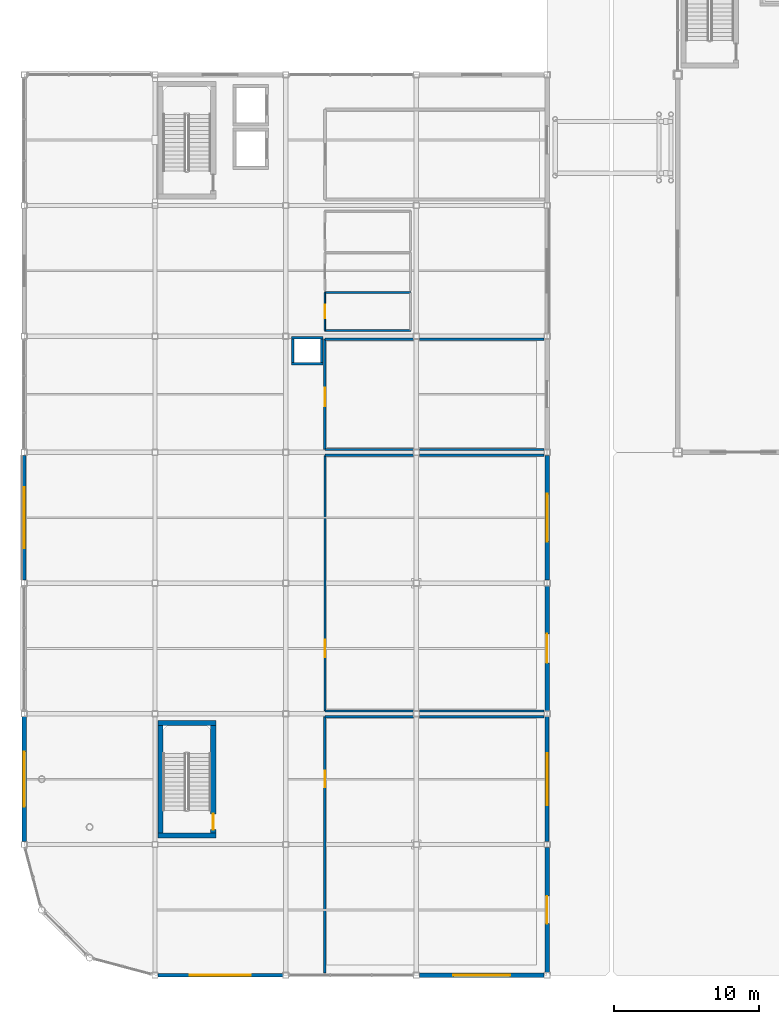
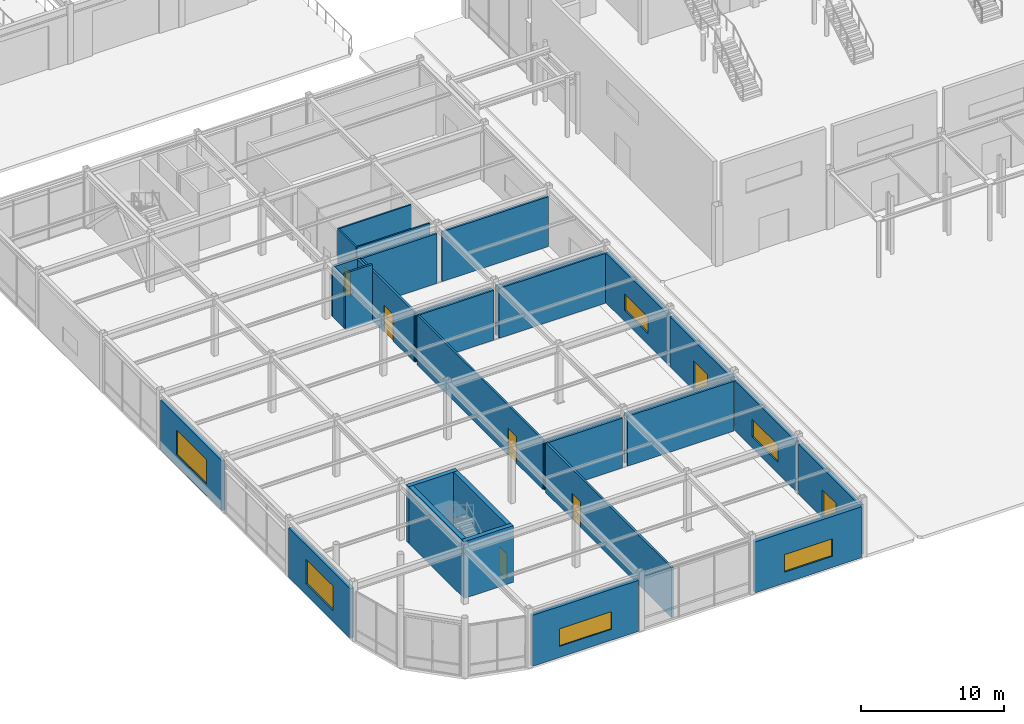
# One storey, part 82 of 123: 32 walls, 7 doors, 6 windows, 13 openings.
"""IFC4 building model written with IfcOpenShell, lengths in metres."""

import ifcopenshell
import ifcopenshell.guid

model = None  # the IFC model being written
_history = None  # IfcOwnerHistory: only IFC2X3 demands one
_inside = {}  # id of a spatial element -> (the spatial element, [elements in it])
_under = {}  # id of a project, library or spatial element -> (it, [spatial elements below it])
_declared = {}  # id of a project -> (the project, [libraries it declares])
_typed = {}  # id of a type object -> (the type object, [elements of that type])
_made_of = {}  # id of a material, layer set ... -> (it, [elements and type objects made of it])


def new_model(schema):
    """Start an empty IFC model of exactly this schema.

    Asked for "IFC4X3", IfcOpenShell would pick the latest addendum, in which some entities
    have other attributes; the version numbers below select the first issue.
    IFC2X3 requires an IfcOwnerHistory on every rooted entity: one is made here for all.
    """
    global model, _history
    if schema == "IFC4X3":
        model = ifcopenshell.file(schema_version=(4, 3, 0, 0))
    else:
        model = ifcopenshell.file(schema=schema)
    _inside.clear()
    _under.clear()
    _declared.clear()
    _typed.clear()
    _made_of.clear()
    _history = None
    if model.schema == "IFC2X3":
        org = make("IfcOrganization", Name="unknown")
        user = make(
            "IfcPersonAndOrganization",
            ThePerson=make("IfcPerson", FamilyName="unknown"),
            TheOrganization=org,
        )
        app = make(
            "IfcApplication",
            ApplicationDeveloper=org,
            Version="unknown",
            ApplicationFullName="unknown",
            ApplicationIdentifier="unknown",
        )
        _history = make(
            "IfcOwnerHistory",
            OwningUser=user,
            OwningApplication=app,
            ChangeAction="ADDED",
            CreationDate=0,
        )
    return model


def make(cls, **values):
    """One entity of the class cls with the attributes given. An attribute that is None is left unset."""
    return model.create_entity(
        cls, **{name: value for name, value in values.items() if value is not None}
    )


def rooted(cls, **values):
    """An entity with a GlobalId (a new one), such as an element, a storey or a relation."""
    return make(cls, GlobalId=ifcopenshell.guid.new(), OwnerHistory=_history, **values)


def si_unit(unit_type, name, prefix=None):
    """IfcSIUnit, for example si_unit("LENGTHUNIT", "METRE", prefix="MILLI")."""
    return make("IfcSIUnit", UnitType=unit_type, Prefix=prefix, Name=name)


def assignment(units):
    """IfcUnitAssignment: the units of a project."""
    return None if units is None else make("IfcUnitAssignment", Units=units)


def point(xyz):
    """IfcCartesianPoint."""
    return None if xyz is None else make("IfcCartesianPoint", Coordinates=xyz)


def direction(xyz):
    """IfcDirection."""
    return None if xyz is None else make("IfcDirection", DirectionRatios=xyz)


def frame(location, z_axis=None, x_axis=None):
    """IfcAxis2Placement3D, a coordinate frame: its origin and axes. An axis left out is left unset."""
    return make(
        "IfcAxis2Placement3D",
        Location=point(location),
        Axis=direction(z_axis),
        RefDirection=direction(x_axis),
    )


def frame_2d(location, x_axis=None):
    """IfcAxis2Placement2D, a coordinate frame in the plane: its origin and x axis."""
    return make(
        "IfcAxis2Placement2D", Location=point(location), RefDirection=direction(x_axis)
    )


def origin():
    """The frame at (0, 0, 0) with its axes left unset."""
    return frame((0.0, 0.0, 0.0))


def place(relative_to, where):
    """IfcLocalPlacement: puts the frame where relative to a parent placement (None: the world)."""
    return make(
        "IfcLocalPlacement", PlacementRelTo=relative_to, RelativePlacement=where
    )


def context(
    kind, dimensions, precision=None, world=None, true_north=None, identifier=None
):
    """IfcGeometricRepresentationContext, for example the 3D "Model" context."""
    return make(
        "IfcGeometricRepresentationContext",
        ContextIdentifier=identifier,
        ContextType=kind,
        CoordinateSpaceDimension=dimensions,
        Precision=precision,
        WorldCoordinateSystem=world,
        TrueNorth=true_north,
    )


def subcontext(parent, identifier, kind, view, scale=None):
    """IfcGeometricRepresentationSubContext, for example "Body" below "Model"."""
    return make(
        "IfcGeometricRepresentationSubContext",
        ContextIdentifier=identifier,
        ContextType=kind,
        ParentContext=parent,
        TargetScale=scale,
        TargetView=view,
    )


def project(units=None, contexts=None):
    """IfcProject with its units and contexts."""
    return rooted(
        "IfcProject",
        Name="project",
        RepresentationContexts=contexts,
        UnitsInContext=assignment(units),
    )


def spatial(cls, under=None, at=None, **own):
    """A site, building, storey or space (cls), placed at a placement, below another one or the project."""
    s = rooted(cls, ObjectPlacement=at, **own)
    if under is not None:
        _under.setdefault(under.id(), (under, []))[1].append(s)
    return s


def profile(cls, at=None, kind="AREA", **sizes):
    """A parametric profile (cls). Its sizes go by their IFC names, for example OverallWidth=200.0."""
    return make(cls, ProfileType=kind, Position=at, **sizes)


def rectangle(**sizes):
    """IfcRectangleProfileDef."""
    return profile("IfcRectangleProfileDef", **sizes)


def extrude(swept, where, along, depth):
    """IfcExtrudedAreaSolid: the profile swept, set in the frame where, extruded along a direction by depth."""
    return make(
        "IfcExtrudedAreaSolid",
        SweptArea=swept,
        Position=where,
        ExtrudedDirection=direction(along),
        Depth=depth,
    )


def shape(context_of_items, identifier, shape_type, items):
    """IfcShapeRepresentation: the items that make up one representation, for example the "Body"."""
    return make(
        "IfcShapeRepresentation",
        ContextOfItems=context_of_items,
        RepresentationIdentifier=identifier,
        RepresentationType=shape_type,
        Items=items,
    )


def material(Name=None, Category=None):
    """IfcMaterial."""
    return make("IfcMaterial", Name=Name, Category=Category)


def layer(
    of_material, thickness, ventilated=None, Name=None, Category=None, Priority=None
):
    """IfcMaterialLayer: one layer of a wall or slab, of a material (None: an air gap)."""
    return make(
        "IfcMaterialLayer",
        Material=of_material,
        LayerThickness=thickness,
        IsVentilated=ventilated,
        Name=Name,
        Category=Category,
        Priority=Priority,
    )


def layer_set(layers, Name=None):
    """IfcMaterialLayerSet."""
    return make("IfcMaterialLayerSet", MaterialLayers=layers, LayerSetName=Name)


def made_of(thing, what):
    """Note that an element or type object is made of a material, layer set ...; save() writes the relation."""
    if what is not None:
        _made_of.setdefault(what.id(), (what, []))[1].append(thing)
    return thing


def type_object(cls, material=None, **own):
    """A type object (cls), such as IfcWallType, which elements share."""
    return made_of(rooted(cls, **own), material)


def element(
    cls,
    number,
    at=None,
    inside=None,
    cuts=None,
    type_object=None,
    material=None,
    context=None,
    identifier="Body",
    shape_type=None,
    held_by="IfcProductDefinitionShape",
    body=None,
    shapes=None,
    **own,
):
    """One element of the class cls, such as IfcWall. Its Tag is "e" and its number.

    at: its placement. inside: the storey or other place that contains it. cuts: it is an
    opening in that element (IfcRelVoidsElement). A single representation is given by context,
    identifier, shape_type and body (its items); several are given by shapes. held_by: the class
    of the entity that holds the representations. save() writes the other relations.
    """
    e = rooted(cls, Tag="e%d" % number, ObjectPlacement=at, **own)
    if body is not None:
        shapes = [shape(context, identifier, shape_type, body)]
    if shapes is not None:
        e.Representation = make(held_by, Representations=shapes)
    if inside is not None:
        _inside.setdefault(inside.id(), (inside, []))[1].append(e)
    if cuts is not None:
        rooted(
            "IfcRelVoidsElement", RelatingBuildingElement=cuts, RelatedOpeningElement=e
        )
    if type_object is not None:
        _typed.setdefault(type_object.id(), (type_object, []))[1].append(e)
    return made_of(e, material)


def fill(opening, filler):
    """IfcRelFillsElement: the door or window that sits in an opening."""
    return rooted(
        "IfcRelFillsElement",
        RelatingOpeningElement=opening,
        RelatedBuildingElement=filler,
    )


def aggregate(whole, parts):
    """IfcRelAggregates: a whole, such as a stair, and the parts it consists of."""
    return rooted("IfcRelAggregates", RelatingObject=whole, RelatedObjects=parts)


def save(model, path):
    """Write the relations noted so far, then the file.

    IfcRelAggregates (storeys below a building ...), IfcRelContainedInSpatialStructure (elements
    in a storey), IfcRelDefinesByType, IfcRelAssociatesMaterial and IfcRelDeclares: one each for
    every whole, place, type object, material and project.
    """
    for whole, parts in _under.values():
        aggregate(whole, parts)
    for where, things in _inside.values():
        rooted(
            "IfcRelContainedInSpatialStructure",
            RelatedElements=things,
            RelatingStructure=where,
        )
    for kind, things in _typed.values():
        rooted("IfcRelDefinesByType", RelatedObjects=things, RelatingType=kind)
    for what, things in _made_of.values():
        rooted("IfcRelAssociatesMaterial", RelatedObjects=things, RelatingMaterial=what)
    for by, libraries in _declared.values():
        rooted("IfcRelDeclares", RelatingContext=by, RelatedDefinitions=libraries)
    model.write(path)


model = new_model("IFC4")

# Units and contexts
model_context = context("Model", 3, precision=1e-05, world=origin(), true_north=direction((0.0, 1.0)))
body_context = subcontext(model_context, "Body", "Model", "MODEL_VIEW")
ifc_project = project(units=[si_unit("LENGTHUNIT", "METRE"), si_unit("AREAUNIT", "SQUARE_METRE"), si_unit("VOLUMEUNIT", "CUBIC_METRE"), si_unit("PLANEANGLEUNIT", "RADIAN"), si_unit("MASSUNIT", "GRAM", prefix="KILO")], contexts=[model_context])

# Site, building, storey
site_placement = place(None, origin())
site = spatial("IfcSite", under=ifc_project, at=site_placement, CompositionType="ELEMENT")
building_placement = place(site_placement, origin())
building = spatial("IfcBuilding", under=site, at=building_placement, Name="Suzunagisa Mobility Hub", CompositionType="ELEMENT")
storey_placement = place(building_placement, origin())
storey = spatial("IfcBuildingStorey", under=building, at=storey_placement, Name="L00", CompositionType="ELEMENT", Elevation=0.0)

# Wall, opening, window
ifc_material_1 = material(Name="Porcelain-Faced Insulated Concrete C30/37 Wall", Category="concrete")
ifc_layer_1 = layer(ifc_material_1, 0.260009765625)
ifc_layer_set_1 = layer_set([ifc_layer_1], Name="Porcelain-Faced Insulated Concrete C30/37 Wall")
wall_type_1 = type_object("IfcWallType", Name="Exterior Wall EW-03 260mm", PredefinedType="SOLIDWALL", material=ifc_layer_set_1)
wall_1_placement = place(storey_placement, frame((36.0, 9.199951171875, 0.0), z_axis=(0.0, 0.0, 1.0), x_axis=(0.0, 1.0, 0.0)))
wall_1 = element("IfcWall", 1, at=wall_1_placement, inside=storey, type_object=wall_type_1, Name="L00 Exterior Facade Wall EW-26", PredefinedType="SOLIDWALL", context=body_context, shape_type="SweptSolid", body=[
    extrude(rectangle(XDim=8.60009765625, YDim=0.260009765625, at=frame_2d((4.300048828125, 0.0))), origin(), (0.0, 0.0, 1.0), 4.261962890625),
])
opening_1_placement = place(wall_1_placement, frame((2.5, 0.0, 0.949951171875)))
opening_1 = element("IfcOpeningElement", 2, at=opening_1_placement, cuts=wall_1, Name="Opening WN-27", PredefinedType="OPENING", context=body_context, shape_type="SweptSolid", body=[
    extrude(rectangle(XDim=3.60009765625, YDim=1.5, at=frame_2d((1.800048828125, 0.75))), frame((0.0, 0.14111328125, 0.0), z_axis=(0.0, -1.0, 0.0), x_axis=(1.0, 0.0, 0.0)), (0.0, 0.0, 1.0), 0.281982421875),
])
ifc_material_2 = material(Name="Thermally Broken Anodized Aluminum and Low-E Double Glazing", Category="aluminium")
window_type_1 = type_object("IfcWindowType", Name="Aluminum Window WN-27 3600x1500", PartitioningType="SINGLE_PANEL", PredefinedType="WINDOW", material=ifc_material_2)
window_1_placement = place(opening_1_placement, origin())
window_1 = element("IfcWindow", 3, at=window_1_placement, inside=storey, type_object=window_type_1, Name="L00 Scheduled Facade Window WN-3", OverallHeight=1.5, OverallWidth=3.60009765625, PartitioningType="SINGLE_PANEL", PredefinedType="WINDOW", context=body_context, shape_type="SweptSolid", body=[
    extrude(rectangle(XDim=3.60009765625, YDim=1.5, at=frame_2d((1.800048828125, 0.75))), frame((0.0, 0.030029296875, 0.0), z_axis=(0.0, -1.0, 0.0), x_axis=(1.0, 0.0, 0.0)), (0.0, 0.0, 1.0), 0.06005859375),
])
fill(opening_1, window_1)

ifc_material_3 = material(Name="Lightweight Insulated Autoclaved Concrete C30/37 Wall", Category="concrete")
ifc_layer_2 = layer(ifc_material_3, 0.239990234375)
ifc_layer_set_2 = layer_set([ifc_layer_2], Name="Lightweight Insulated Autoclaved Concrete C30/37 Wall")
wall_type_2 = type_object("IfcWallType", Name="Exterior Wall EW-04 240mm", PredefinedType="SOLIDWALL", material=ifc_layer_set_2)
wall_2_placement = place(storey_placement, frame((9.199951171875, 0.0, 0.0), z_axis=(0.0, 0.0, 1.0), x_axis=(1.0, 0.0, 0.0)))
wall_2 = element("IfcWall", 4, at=wall_2_placement, inside=storey, type_object=wall_type_2, Name="L00 Exterior Facade Wall EW-23", PredefinedType="SOLIDWALL", context=body_context, shape_type="SweptSolid", body=[
    extrude(rectangle(XDim=8.60009765625, YDim=0.239990234375, at=frame_2d((4.300048828125, 0.0))), origin(), (0.0, 0.0, 1.0), 4.362060546875),
])
opening_2_placement = place(wall_2_placement, frame((2.199951171875, 0.0, 0.949951171875)))
opening_2 = element("IfcOpeningElement", 5, at=opening_2_placement, cuts=wall_2, Name="Opening WN-22", PredefinedType="OPENING", context=body_context, shape_type="SweptSolid", body=[
    extrude(rectangle(XDim=4.199951171875, YDim=1.5, at=frame_2d((2.10009765625, 0.75))), frame((0.0, 0.130859375, 0.0), z_axis=(0.0, -1.0, 0.0), x_axis=(1.0, 0.0, 0.0)), (0.0, 0.0, 1.0), 0.261962890625),
])
window_type_2 = type_object("IfcWindowType", Name="Aluminum Window WN-22 4200x1500", PartitioningType="SINGLE_PANEL", PredefinedType="WINDOW", material=ifc_material_2)
window_2_placement = place(opening_2_placement, origin())
window_2 = element("IfcWindow", 6, at=window_2_placement, inside=storey, type_object=window_type_2, Name="L00 Scheduled Facade Window WN-1", OverallHeight=1.5, OverallWidth=4.199951171875, PartitioningType="SINGLE_PANEL", PredefinedType="WINDOW", context=body_context, shape_type="SweptSolid", body=[
    extrude(rectangle(XDim=4.199951171875, YDim=1.5, at=frame_2d((2.10009765625, 0.75))), frame((0.0, 0.030029296875, 0.0), z_axis=(0.0, -1.0, 0.0), x_axis=(1.0, 0.0, 0.0)), (0.0, 0.0, 1.0), 0.06005859375),
])
fill(opening_2, window_2)

wall_3_placement = place(storey_placement, frame((0.0, 35.800048828125, 0.0), z_axis=(0.0, 0.0, 1.0), x_axis=(0.0, -1.0, 0.0)))
wall_3 = element("IfcWall", 7, at=wall_3_placement, inside=storey, type_object=wall_type_2, Name="L00 Exterior Facade Wall EW-35", PredefinedType="SOLIDWALL", context=body_context, shape_type="SweptSolid", body=[
    extrude(rectangle(XDim=8.60009765625, YDim=0.239990234375, at=frame_2d((4.300048828125, 0.0))), origin(), (0.0, 0.0, 1.0), 4.261962890625),
])
opening_3_placement = place(wall_3_placement, frame((2.199951171875, 0.0, 0.949951171875)))
opening_3 = element("IfcOpeningElement", 8, at=opening_3_placement, cuts=wall_3, Name="Opening WN-16", PredefinedType="OPENING", context=body_context, shape_type="SweptSolid", body=[
    extrude(rectangle(XDim=4.199951171875, YDim=2.10009765625, at=frame_2d((2.10009765625, 1.050048828125))), frame((0.0, 0.130859375, 0.0), z_axis=(0.0, -1.0, 0.0), x_axis=(1.0, 0.0, 0.0)), (0.0, 0.0, 1.0), 0.261962890625),
])
window_type_3 = type_object("IfcWindowType", Name="Aluminum Window WN-16 4200x2100", PartitioningType="SINGLE_PANEL", PredefinedType="WINDOW", material=ifc_material_2)
window_3_placement = place(opening_3_placement, origin())
window_3 = element("IfcWindow", 9, at=window_3_placement, inside=storey, type_object=window_type_3, Name="L00 Scheduled Facade Window WN-9", OverallHeight=2.10009765625, OverallWidth=4.199951171875, PartitioningType="SINGLE_PANEL", PredefinedType="WINDOW", context=body_context, shape_type="SweptSolid", body=[
    extrude(rectangle(XDim=4.199951171875, YDim=2.10009765625, at=frame_2d((2.10009765625, 1.050048828125))), frame((0.0, 0.030029296875, 0.0), z_axis=(0.0, -1.0, 0.0), x_axis=(1.0, 0.0, 0.0)), (0.0, 0.0, 1.0), 0.06005859375),
])
fill(opening_3, window_3)

ifc_material_4 = material(Name="Insulated Precast Concrete C35/45 Panel", Category="concrete")
ifc_layer_3 = layer(ifc_material_4, 0.300048828125)
ifc_layer_set_3 = layer_set([ifc_layer_3], Name="Insulated Precast Concrete C35/45 Panel")
wall_type_3 = type_object("IfcWallType", Name="Exterior Wall EW-09 300mm", PredefinedType="SOLIDWALL", material=ifc_layer_set_3)
wall_4_placement = place(storey_placement, frame((27.199951171875, 0.0, 0.0), z_axis=(0.0, 0.0, 1.0), x_axis=(1.0, 0.0, 0.0)))
wall_4 = element("IfcWall", 10, at=wall_4_placement, inside=storey, type_object=wall_type_3, Name="L00 Exterior Facade Wall EW-24", PredefinedType="SOLIDWALL", context=body_context, shape_type="SweptSolid", body=[
    extrude(rectangle(XDim=8.60009765625, YDim=0.300048828125, at=frame_2d((4.300048828125, 0.0))), origin(), (0.0, 0.0, 1.0), 4.362060546875),
])
opening_4_placement = place(wall_4_placement, frame((2.35009765625, 0.0, 0.949951171875)))
opening_4 = element("IfcOpeningElement", 11, at=opening_4_placement, cuts=wall_4, Name="Opening WN-11", PredefinedType="OPENING", context=body_context, shape_type="SweptSolid", body=[
    extrude(rectangle(XDim=3.89990234375, YDim=1.5, at=frame_2d((1.949951171875, 0.75))), frame((0.0, 0.1611328125, 0.0), z_axis=(0.0, -1.0, 0.0), x_axis=(1.0, 0.0, 0.0)), (0.0, 0.0, 1.0), 0.322021484375),
])
window_type_4 = type_object("IfcWindowType", Name="Aluminum Window WN-11 3900x1500", PartitioningType="SINGLE_PANEL", PredefinedType="WINDOW", material=ifc_material_2)
window_4_placement = place(opening_4_placement, origin())
window_4 = element("IfcWindow", 12, at=window_4_placement, inside=storey, type_object=window_type_4, Name="L00 Scheduled Facade Window WN-2", OverallHeight=1.5, OverallWidth=3.89990234375, PartitioningType="SINGLE_PANEL", PredefinedType="WINDOW", context=body_context, shape_type="SweptSolid", body=[
    extrude(rectangle(XDim=3.89990234375, YDim=1.5, at=frame_2d((1.949951171875, 0.75))), frame((0.0, 0.030029296875, 0.0), z_axis=(0.0, -1.0, 0.0), x_axis=(1.0, 0.0, 0.0)), (0.0, 0.0, 1.0), 0.06005859375),
])
fill(opening_4, window_4)

# Wall, opening, door
wall_5_placement = place(storey_placement, frame((36.0, 0.199951171875, 0.0), z_axis=(0.0, 0.0, 1.0), x_axis=(0.0, 1.0, 0.0)))
wall_5 = element("IfcWall", 13, at=wall_5_placement, inside=storey, type_object=wall_type_3, Name="L00 Entrance Portal Wall 25", PredefinedType="SOLIDWALL", context=body_context, shape_type="SweptSolid", body=[
    extrude(rectangle(XDim=8.60009765625, YDim=0.300048828125, at=frame_2d((4.300048828125, 0.0))), origin(), (0.0, 0.0, 1.0), 4.261962890625),
])
opening_5_placement = place(wall_5_placement, frame((5.25, 0.0, 0.0), z_axis=(0.0, 0.0, 1.0), x_axis=(-1.0, 0.0, 0.0)))
opening_5 = element("IfcOpeningElement", 14, at=opening_5_placement, cuts=wall_5, Name="Opening ED-07", PredefinedType="OPENING", context=body_context, shape_type="SweptSolid", body=[
    extrude(rectangle(XDim=1.89990234375, YDim=2.39990234375, at=frame_2d((0.949951171875, 1.199951171875))), frame((0.0, 0.1611328125, 0.0), z_axis=(0.0, -1.0, 0.0), x_axis=(1.0, 0.0, 0.0)), (0.0, 0.0, 1.0), 0.322021484375),
])
ifc_material_5 = material(Name="Anodized Aluminum and Tempered Safety Glass", Category="aluminium")
door_type_1 = type_object("IfcDoorType", Name="Exterior Glazed Aluminum Door ED-07 1900x2400", OperationType="DOUBLE_DOOR_SINGLE_SWING", PredefinedType="DOOR", material=ifc_material_5)
door_1_placement = place(opening_5_placement, origin())
door_1 = element("IfcDoor", 15, at=door_1_placement, inside=storey, type_object=door_type_1, Name="L00 Pedestrian Final Exit Door EX-1", OperationType="SINGLE_SWING_LEFT", OverallHeight=2.39990234375, OverallWidth=1.89990234375, PredefinedType="DOOR", context=body_context, shape_type="SweptSolid", body=[
    extrude(rectangle(XDim=1.89990234375, YDim=2.39990234375, at=frame_2d((0.949951171875, 1.199951171875))), frame((0.0, 0.02490234375, 0.0), z_axis=(0.0, -1.0, 0.0), x_axis=(1.0, 0.0, 0.0)), (0.0, 0.0, 1.0), 0.050048828125),
])
fill(opening_5, door_1)

wall_6_placement = place(storey_placement, frame((36.0, 18.199951171875, 0.0), z_axis=(0.0, 0.0, 1.0), x_axis=(0.0, 1.0, 0.0)))
wall_6 = element("IfcWall", 16, at=wall_6_placement, inside=storey, type_object=wall_type_3, Name="L00 Entrance Portal Wall 27", PredefinedType="SOLIDWALL", context=body_context, shape_type="SweptSolid", body=[
    extrude(rectangle(XDim=8.60009765625, YDim=0.300048828125, at=frame_2d((4.300048828125, 0.0))), origin(), (0.0, 0.0, 1.0), 4.261962890625),
])
opening_6_placement = place(wall_6_placement, frame((5.300048828125, 0.0, 0.0), z_axis=(0.0, 0.0, 1.0), x_axis=(-1.0, 0.0, 0.0)))
opening_6 = element("IfcOpeningElement", 17, at=opening_6_placement, cuts=wall_6, Name="Opening ED-10", PredefinedType="OPENING", context=body_context, shape_type="SweptSolid", body=[
    extrude(rectangle(XDim=2.0, YDim=2.5, at=frame_2d((1.0, 1.25))), frame((0.0, 0.1611328125, 0.0), z_axis=(0.0, -1.0, 0.0), x_axis=(1.0, 0.0, 0.0)), (0.0, 0.0, 1.0), 0.322021484375),
])
door_type_2 = type_object("IfcDoorType", Name="Exterior Glazed Aluminum Door ED-10 2000x2500", OperationType="DOUBLE_DOOR_SINGLE_SWING", PredefinedType="DOOR", material=ifc_material_5)
door_2_placement = place(opening_6_placement, origin())
door_2 = element("IfcDoor", 18, at=door_2_placement, inside=storey, type_object=door_type_2, Name="L00 Pedestrian Final Exit Door EX-2", OperationType="SINGLE_SWING_LEFT", OverallHeight=2.5, OverallWidth=2.0, PredefinedType="DOOR", context=body_context, shape_type="SweptSolid", body=[
    extrude(rectangle(XDim=2.0, YDim=2.5, at=frame_2d((1.0, 1.25))), frame((0.0, 0.02490234375, 0.0), z_axis=(0.0, -1.0, 0.0), x_axis=(1.0, 0.0, 0.0)), (0.0, 0.0, 1.0), 0.050048828125),
])
fill(opening_6, door_2)

# Wall, opening, window
wall_7_placement = place(storey_placement, frame((36.0, 27.199951171875, 0.0), z_axis=(0.0, 0.0, 1.0), x_axis=(0.0, 1.0, 0.0)))
wall_7 = element("IfcWall", 19, at=wall_7_placement, inside=storey, type_object=wall_type_3, Name="L00 Exterior Facade Wall EW-28", PredefinedType="SOLIDWALL", context=body_context, shape_type="SweptSolid", body=[
    extrude(rectangle(XDim=8.60009765625, YDim=0.300048828125, at=frame_2d((4.300048828125, 0.0))), origin(), (0.0, 0.0, 1.0), 4.261962890625),
])
opening_7_placement = place(wall_7_placement, frame((2.64990234375, 0.0, 0.949951171875)))
opening_7 = element("IfcOpeningElement", 20, at=opening_7_placement, cuts=wall_7, Name="Opening WN-19", PredefinedType="OPENING", context=body_context, shape_type="SweptSolid", body=[
    extrude(rectangle(XDim=3.300048828125, YDim=1.39990234375, at=frame_2d((1.64990234375, 0.699951171875))), frame((0.0, 0.1611328125, 0.0), z_axis=(0.0, -1.0, 0.0), x_axis=(1.0, 0.0, 0.0)), (0.0, 0.0, 1.0), 0.322021484375),
])
window_type_5 = type_object("IfcWindowType", Name="Aluminum Window WN-19 3300x1400", PartitioningType="SINGLE_PANEL", PredefinedType="WINDOW", material=ifc_material_2)
window_5_placement = place(opening_7_placement, origin())
window_5 = element("IfcWindow", 21, at=window_5_placement, inside=storey, type_object=window_type_5, Name="L00 Scheduled Facade Window WN-4", OverallHeight=1.39990234375, OverallWidth=3.300048828125, PartitioningType="SINGLE_PANEL", PredefinedType="WINDOW", context=body_context, shape_type="SweptSolid", body=[
    extrude(rectangle(XDim=3.300048828125, YDim=1.39990234375, at=frame_2d((1.64990234375, 0.699951171875))), frame((0.0, 0.030029296875, 0.0), z_axis=(0.0, -1.0, 0.0), x_axis=(1.0, 0.0, 0.0)), (0.0, 0.0, 1.0), 0.06005859375),
])
fill(opening_7, window_5)

wall_8_placement = place(storey_placement, frame((0.0, 17.800048828125, 0.0), z_axis=(0.0, 0.0, 1.0), x_axis=(0.0, -1.0, 0.0)))
wall_8 = element("IfcWall", 22, at=wall_8_placement, inside=storey, type_object=wall_type_3, Name="L00 Exterior Facade Wall EW-36", PredefinedType="SOLIDWALL", context=body_context, shape_type="SweptSolid", body=[
    extrude(rectangle(XDim=8.60009765625, YDim=0.300048828125, at=frame_2d((4.300048828125, 0.0))), origin(), (0.0, 0.0, 1.0), 4.261962890625),
])
opening_8_placement = place(wall_8_placement, frame((2.39990234375, 0.0, 0.949951171875)))
opening_8 = element("IfcOpeningElement", 23, at=opening_8_placement, cuts=wall_8, Name="Opening WN-18", PredefinedType="OPENING", context=body_context, shape_type="SweptSolid", body=[
    extrude(rectangle(XDim=3.800048828125, YDim=2.10009765625, at=frame_2d((1.89990234375, 1.050048828125))), frame((0.0, 0.1611328125, 0.0), z_axis=(0.0, -1.0, 0.0), x_axis=(1.0, 0.0, 0.0)), (0.0, 0.0, 1.0), 0.322021484375),
])
window_type_6 = type_object("IfcWindowType", Name="Aluminum Window WN-18 3800x2100", PartitioningType="SINGLE_PANEL", PredefinedType="WINDOW", material=ifc_material_2)
window_6_placement = place(opening_8_placement, origin())
window_6 = element("IfcWindow", 24, at=window_6_placement, inside=storey, type_object=window_type_6, Name="L00 Scheduled Facade Window WN-10", OverallHeight=2.10009765625, OverallWidth=3.800048828125, PartitioningType="SINGLE_PANEL", PredefinedType="WINDOW", context=body_context, shape_type="SweptSolid", body=[
    extrude(rectangle(XDim=3.800048828125, YDim=2.10009765625, at=frame_2d((1.89990234375, 1.050048828125))), frame((0.0, 0.030029296875, 0.0), z_axis=(0.0, -1.0, 0.0), x_axis=(1.0, 0.0, 0.0)), (0.0, 0.0, 1.0), 0.06005859375),
])
fill(opening_8, window_6)

# Walls
ifc_material_6 = material(Name="Moisture-Resistant Gypsum Partition", Category="gypsum")
ifc_layer_4 = layer(ifc_material_6, 0.1201171875)
ifc_layer_set_4 = layer_set([ifc_layer_4], Name="Moisture-Resistant Gypsum Partition")
wall_type_4 = type_object("IfcWallType", Name="Interior Wall IW-02 120mm", PredefinedType="PARTITIONING", material=ifc_layer_set_4)
for number, where, z_axis, x_axis, name in (
    (25, (20.699951171875, 44.39990234375, 0.0), (0.0, 0.0, 1.0), (1.0, 0.0, 0.0), "L00 West Concourse Male WC L00 Partition PW-645"),
    (26, (20.699951171875, 47.0, 0.0), (0.0, 0.0, 1.0), (1.0, 0.0, 0.0), "L00 West Concourse Male WC L00 Partition PW-646"),
):
    element("IfcWall", number, at=place(storey_placement, frame(where, z_axis=z_axis, x_axis=x_axis)), inside=storey, type_object=wall_type_4, Name=name, PredefinedType="PARTITIONING", context=body_context, shape_type="SweptSolid", body=[
        extrude(rectangle(XDim=5.900146484375, YDim=0.1201171875, at=frame_2d((2.9501953125, 0.0))), origin(), (0.0, 0.0, 1.0), 4.85009765625),
    ])

# Wall, opening, door
wall_9_placement = place(storey_placement, frame((20.699951171875, 44.39990234375, 0.0), z_axis=(0.0, 0.0, 1.0), x_axis=(0.0, 1.0, 0.0)))
wall_9 = element("IfcWall", 27, at=wall_9_placement, inside=storey, type_object=wall_type_4, Name="L00 West Concourse Male WC L00 Partition PW-647", PredefinedType="PARTITIONING", context=body_context, shape_type="SweptSolid", body=[
    extrude(rectangle(XDim=2.60009765625, YDim=0.1201171875, at=frame_2d((1.300048828125, 0.0))), origin(), (0.0, 0.0, 1.0), 4.85009765625),
])
opening_9_placement = place(wall_9_placement, frame((0.840087890625, 0.0, 0.0)))
opening_9 = element("IfcOpeningElement", 28, at=opening_9_placement, cuts=wall_9, Name="Opening DR-02", PredefinedType="OPENING", context=body_context, shape_type="SweptSolid", body=[
    extrude(rectangle(XDim=0.919921875, YDim=2.10009765625, at=frame_2d((0.4599609375, 1.050048828125))), frame((0.0, 0.071044921875, 0.0), z_axis=(0.0, -1.0, 0.0), x_axis=(1.0, 0.0, 0.0)), (0.0, 0.0, 1.0), 0.14208984375),
])
ifc_material_7 = material(Name="Sanitary Restroom Laminate Door")
door_type_3 = type_object("IfcDoorType", Name="Interior Door DR-02 920x2100", OperationType="SINGLE_SWING_LEFT", PredefinedType="DOOR", material=ifc_material_7)
door_3_placement = place(opening_9_placement, origin())
door_3 = element("IfcDoor", 29, at=door_3_placement, inside=storey, type_object=door_type_3, Name="L00 West Concourse Male WC L00 Door DR-161", OperationType="SINGLE_SWING_RIGHT", OverallHeight=2.10009765625, OverallWidth=0.919921875, PredefinedType="DOOR", context=body_context, shape_type="SweptSolid", body=[
    extrude(rectangle(XDim=0.919921875, YDim=2.10009765625, at=frame_2d((0.4599609375, 1.050048828125))), frame((0.0, 0.02490234375, 0.0), z_axis=(0.0, -1.0, 0.0), x_axis=(1.0, 0.0, 0.0)), (0.0, 0.0, 1.0), 0.050048828125),
])
fill(opening_9, door_3)

# Walls
ifc_material_8 = material(Name="Concrete C35/45", Category="concrete")
ifc_layer_5 = layer(ifc_material_8, 0.35009765625)
ifc_layer_set_5 = layer_set([ifc_layer_5], Name="Concrete C35/45")
wall_type_5 = type_object("IfcWallType", Name="Interior Wall IW-04 350mm", PredefinedType="SHEAR", material=ifc_layer_set_5)
for number, where, z_axis, x_axis, name in (
    (30, (9.2099609375, 9.625, 0.0), (0.0, 0.0, 1.0), (1.0, 0.0, 0.0), "L00 Core C1B Shear Wall SW-65"),
    (31, (9.2099609375, 17.375, 0.0), (0.0, 0.0, 1.0), (1.0, 0.0, 0.0), "L00 Core C1B Shear Wall SW-66"),
):
    element("IfcWall", number, at=place(storey_placement, frame(where, z_axis=z_axis, x_axis=x_axis)), inside=storey, type_object=wall_type_5, Name=name, PredefinedType="SHEAR", context=body_context, shape_type="SweptSolid", body=[
        extrude(rectangle(XDim=3.97998046875, YDim=0.35009765625, at=frame_2d((1.989990234375, 0.0))), origin(), (0.0, 0.0, 1.0), 4.85009765625),
    ])
wall_10_placement = place(storey_placement, frame((9.385009765625, 9.800048828125, 0.0), z_axis=(0.0, 0.0, 1.0), x_axis=(0.0, 1.0, 0.0)))
element("IfcWall", 32, at=wall_10_placement, inside=storey, type_object=wall_type_5, Name="L00 Core C1B Shear Wall SW-67", PredefinedType="SHEAR", context=body_context, shape_type="SweptSolid", body=[
    extrude(rectangle(XDim=7.39990234375, YDim=0.35009765625, at=frame_2d((3.699951171875, 0.0))), origin(), (0.0, 0.0, 1.0), 4.85009765625),
])

# Wall, opening, door
wall_11_placement = place(storey_placement, frame((13.014892578125, 9.800048828125, 0.0), z_axis=(0.0, 0.0, 1.0), x_axis=(0.0, 1.0, 0.0)))
wall_11 = element("IfcWall", 33, at=wall_11_placement, inside=storey, type_object=wall_type_5, Name="L00 Core C1B Shear Wall SW-68", PredefinedType="SHEAR", context=body_context, shape_type="SweptSolid", body=[
    extrude(rectangle(XDim=7.39990234375, YDim=0.35009765625, at=frame_2d((3.699951171875, 0.0))), origin(), (0.0, 0.0, 1.0), 4.85009765625),
])
opening_10_placement = place(wall_11_placement, frame((0.219970703125, 0.0, 0.0)))
opening_10 = element("IfcOpeningElement", 34, at=opening_10_placement, cuts=wall_11, Name="Opening DR-05", PredefinedType="OPENING", context=body_context, shape_type="SweptSolid", body=[
    extrude(rectangle(XDim=1.10009765625, YDim=2.14990234375, at=frame_2d((0.550048828125, 1.074951171875))), frame((0.0, 0.18603515625, 0.0), z_axis=(0.0, -1.0, 0.0), x_axis=(1.0, 0.0, 0.0)), (0.0, 0.0, 1.0), 0.3720703125),
])
ifc_material_9 = material(Name="Fire-Rated Hollow Steel Stair Door", Category="steel")
door_type_4 = type_object("IfcDoorType", Name="Interior Door DR-05 1100x2150", OperationType="SINGLE_SWING_LEFT", PredefinedType="DOOR", material=ifc_material_9)
door_4_placement = place(opening_10_placement, origin())
door_4 = element("IfcDoor", 35, at=door_4_placement, inside=storey, type_object=door_type_4, Name="L00 Core C1B Escape Stair Fire Door SD-17", OperationType="SINGLE_SWING_RIGHT", OverallHeight=2.14990234375, OverallWidth=1.10009765625, PredefinedType="DOOR", context=body_context, shape_type="SweptSolid", body=[
    extrude(rectangle(XDim=1.10009765625, YDim=2.14990234375, at=frame_2d((0.550048828125, 1.074951171875))), frame((0.0, 0.02490234375, 0.0), z_axis=(0.0, -1.0, 0.0), x_axis=(1.0, 0.0, 0.0)), (0.0, 0.0, 1.0), 0.050048828125),
])
fill(opening_10, door_4)

# Walls
ifc_material_10 = material(Name="Fire-Rated Gypsum Stud Partition", Category="gypsum")
ifc_layer_6 = layer(ifc_material_10, 0.169921875)
ifc_layer_set_6 = layer_set([ifc_layer_6], Name="Fire-Rated Gypsum Stud Partition")
wall_type_6 = type_object("IfcWallType", Name="Interior Wall IW-05 170mm", PredefinedType="PARTITIONING", material=ifc_layer_set_6)
wall_12_placement = place(storey_placement, frame((18.4150390625, 42.10009765625, 0.0), z_axis=(0.0, 0.0, 1.0), x_axis=(1.0, 0.0, 0.0)))
element("IfcWall", 36, at=wall_12_placement, inside=storey, type_object=wall_type_6, Name="L00 MEP Service Riser Wall RW-493", PredefinedType="PARTITIONING", context=body_context, shape_type="SweptSolid", body=[
    extrude(rectangle(XDim=2.169921875, YDim=0.169921875, at=frame_2d((1.0849609375, 0.0))), origin(), (0.0, 0.0, 1.0), 4.820068359375),
])
wall_13_placement = place(storey_placement, frame((18.4150390625, 43.89990234375, 0.0), z_axis=(0.0, 0.0, 1.0), x_axis=(1.0, 0.0, 0.0)))
element("IfcWall", 37, at=wall_13_placement, inside=storey, type_object=wall_type_6, Name="L00 MEP Service Riser Wall RW-494", PredefinedType="PARTITIONING", context=body_context, shape_type="SweptSolid", body=[
    extrude(rectangle(XDim=2.169921875, YDim=0.169921875, at=frame_2d((1.0849609375, 0.0))), origin(), (0.0, 0.0, 1.0), 4.261962890625),
])
for number, where, z_axis, x_axis, name in (
    (38, (18.5, 42.18505859375, 0.0), (0.0, 0.0, 1.0), (0.0, 1.0, 0.0), "L00 MEP Service Riser Wall RW-495"),
    (39, (20.5, 42.18505859375, 0.0), (0.0, 0.0, 1.0), (0.0, 1.0, 0.0), "L00 MEP Service Riser Wall RW-496"),
):
    element("IfcWall", number, at=place(storey_placement, frame(where, z_axis=z_axis, x_axis=x_axis)), inside=storey, type_object=wall_type_6, Name=name, PredefinedType="PARTITIONING", context=body_context, shape_type="SweptSolid", body=[
        extrude(rectangle(XDim=1.6298828125, YDim=0.169921875, at=frame_2d((0.81494140625, 0.0))), origin(), (0.0, 0.0, 1.0), 4.261962890625),
    ])
wall_14_placement = place(storey_placement, frame((20.699951171875, 17.800048828125, 0.0), z_axis=(0.0, 0.0, 1.0), x_axis=(1.0, 0.0, 0.0)))
element("IfcWall", 40, at=wall_14_placement, inside=storey, type_object=wall_type_6, Name="L00 Suzunagisa Streamline Prow Travel Cafe Partition PW-718", PredefinedType="PARTITIONING", context=body_context, shape_type="SweptSolid", body=[
    extrude(rectangle(XDim=6.10009765625, YDim=0.169921875, at=frame_2d((3.050048828125, 0.0))), origin(), (0.0, 0.0, 1.0), 4.261962890625),
])
wall_15_placement = place(storey_placement, frame((27.199951171875, 17.800048828125, 0.0), z_axis=(0.0, 0.0, 1.0), x_axis=(1.0, 0.0, 0.0)))
element("IfcWall", 41, at=wall_15_placement, inside=storey, type_object=wall_type_6, Name="L00 Suzunagisa Streamline Prow Travel Cafe Partition PW-719", PredefinedType="PARTITIONING", context=body_context, shape_type="SweptSolid", body=[
    extrude(rectangle(XDim=8.60009765625, YDim=0.169921875, at=frame_2d((4.300048828125, 0.0))), origin(), (0.0, 0.0, 1.0), 4.261962890625),
])

# Wall, opening, door
wall_16_placement = place(storey_placement, frame((20.699951171875, 0.1650390625, 0.0), z_axis=(0.0, 0.0, 1.0), x_axis=(0.0, 1.0, 0.0)))
wall_16 = element("IfcWall", 42, at=wall_16_placement, inside=storey, type_object=wall_type_6, Name="L00 Suzunagisa Streamline Prow Travel Cafe Partition PW-720", PredefinedType="PARTITIONING", context=body_context, shape_type="SweptSolid", body=[
    extrude(rectangle(XDim=17.635009765625, YDim=0.169921875, at=frame_2d((8.8173828125, 0.0))), origin(), (0.0, 0.0, 1.0), 4.261962890625),
])
opening_11_placement = place(wall_16_placement, frame((12.764892578125, 0.0, 0.0)))
opening_11 = element("IfcOpeningElement", 43, at=opening_11_placement, cuts=wall_16, Name="Opening DR-30", PredefinedType="OPENING", context=body_context, shape_type="SweptSolid", body=[
    extrude(rectangle(XDim=1.139892578125, YDim=2.199951171875, at=frame_2d((0.56982421875, 1.10009765625))), frame((0.0, 0.095947265625, 0.0), z_axis=(0.0, -1.0, 0.0), x_axis=(1.0, 0.0, 0.0)), (0.0, 0.0, 1.0), 0.19189453125),
])
ifc_material_11 = material(Name="Anodized Aluminum Framed Acoustic Door", Category="aluminium")
door_type_5 = type_object("IfcDoorType", Name="Interior Door DR-30 1140x2200", OperationType="SINGLE_SWING_LEFT", PredefinedType="DOOR", material=ifc_material_11)
door_5_placement = place(opening_11_placement, origin())
door_5 = element("IfcDoor", 44, at=door_5_placement, inside=storey, type_object=door_type_5, Name="L00 Suzunagisa Streamline Prow Travel Cafe Door DR-181", OperationType="SINGLE_SWING_RIGHT", OverallHeight=2.199951171875, OverallWidth=1.139892578125, PredefinedType="DOOR", context=body_context, shape_type="SweptSolid", body=[
    extrude(rectangle(XDim=1.139892578125, YDim=2.199951171875, at=frame_2d((0.56982421875, 1.10009765625))), frame((0.0, 0.02490234375, 0.0), z_axis=(0.0, -1.0, 0.0), x_axis=(1.0, 0.0, 0.0)), (0.0, 0.0, 1.0), 0.050048828125),
])
fill(opening_11, door_5)

# Walls
wall_17_placement = place(storey_placement, frame((20.699951171875, 36.199951171875, 0.0), z_axis=(0.0, 0.0, 1.0), x_axis=(1.0, 0.0, 0.0)))
element("IfcWall", 45, at=wall_17_placement, inside=storey, type_object=wall_type_6, Name="L00 Public Cycle Repair and Tuning Workshop Partition PW-726", PredefinedType="PARTITIONING", context=body_context, shape_type="SweptSolid", body=[
    extrude(rectangle(XDim=6.10009765625, YDim=0.169921875, at=frame_2d((3.050048828125, 0.0))), origin(), (0.0, 0.0, 1.0), 4.261962890625),
])
wall_18_placement = place(storey_placement, frame((27.199951171875, 36.199951171875, 0.0), z_axis=(0.0, 0.0, 1.0), x_axis=(1.0, 0.0, 0.0)))
element("IfcWall", 46, at=wall_18_placement, inside=storey, type_object=wall_type_6, Name="L00 Public Cycle Repair and Tuning Workshop Partition PW-727", PredefinedType="PARTITIONING", context=body_context, shape_type="SweptSolid", body=[
    extrude(rectangle(XDim=8.60009765625, YDim=0.169921875, at=frame_2d((4.300048828125, 0.0))), origin(), (0.0, 0.0, 1.0), 4.261962890625),
])
wall_19_placement = place(storey_placement, frame((20.699951171875, 43.800048828125, 0.0), z_axis=(0.0, 0.0, 1.0), x_axis=(1.0, 0.0, 0.0)))
element("IfcWall", 47, at=wall_19_placement, inside=storey, type_object=wall_type_6, Name="L00 Public Cycle Repair and Tuning Workshop Partition PW-728", PredefinedType="PARTITIONING", context=body_context, shape_type="SweptSolid", body=[
    extrude(rectangle(XDim=6.10009765625, YDim=0.169921875, at=frame_2d((3.050048828125, 0.0))), origin(), (0.0, 0.0, 1.0), 4.261962890625),
])
wall_20_placement = place(storey_placement, frame((27.199951171875, 43.800048828125, 0.0), z_axis=(0.0, 0.0, 1.0), x_axis=(1.0, 0.0, 0.0)))
element("IfcWall", 48, at=wall_20_placement, inside=storey, type_object=wall_type_6, Name="L00 Public Cycle Repair and Tuning Workshop Partition PW-729", PredefinedType="PARTITIONING", context=body_context, shape_type="SweptSolid", body=[
    extrude(rectangle(XDim=8.60009765625, YDim=0.169921875, at=frame_2d((4.300048828125, 0.0))), origin(), (0.0, 0.0, 1.0), 4.261962890625),
])

# Wall, opening, door
wall_21_placement = place(storey_placement, frame((20.699951171875, 36.199951171875, 0.0), z_axis=(0.0, 0.0, 1.0), x_axis=(0.0, 1.0, 0.0)))
wall_21 = element("IfcWall", 49, at=wall_21_placement, inside=storey, type_object=wall_type_6, Name="L00 Public Cycle Repair and Tuning Workshop Partition PW-730", PredefinedType="PARTITIONING", context=body_context, shape_type="SweptSolid", body=[
    extrude(rectangle(XDim=7.60009765625, YDim=0.169921875, at=frame_2d((3.800048828125, 0.0))), origin(), (0.0, 0.0, 1.0), 4.261962890625),
])
opening_12_placement = place(wall_21_placement, frame((2.9599609375, 0.0, 0.0)))
opening_12 = element("IfcOpeningElement", 50, at=opening_12_placement, cuts=wall_21, Name="Opening DR-29", PredefinedType="OPENING", context=body_context, shape_type="SweptSolid", body=[
    extrude(rectangle(XDim=1.280029296875, YDim=2.300048828125, at=frame_2d((0.64013671875, 1.14990234375))), frame((0.0, 0.095947265625, 0.0), z_axis=(0.0, -1.0, 0.0), x_axis=(1.0, 0.0, 0.0)), (0.0, 0.0, 1.0), 0.19189453125),
])
ifc_material_12 = material(Name="Anodized Aluminum Glazed Leaf Door", Category="aluminium")
door_type_6 = type_object("IfcDoorType", Name="Interior Door DR-29 1280x2300", OperationType="SINGLE_SWING_LEFT", PredefinedType="DOOR", material=ifc_material_12)
door_6_placement = place(opening_12_placement, origin())
door_6 = element("IfcDoor", 51, at=door_6_placement, inside=storey, type_object=door_type_6, Name="L00 Public Cycle Repair and Tuning Workshop Door DR-183", OperationType="SINGLE_SWING_RIGHT", OverallHeight=2.300048828125, OverallWidth=1.280029296875, PredefinedType="DOOR", context=body_context, shape_type="SweptSolid", body=[
    extrude(rectangle(XDim=1.280029296875, YDim=2.300048828125, at=frame_2d((0.64013671875, 1.14990234375))), frame((0.0, 0.02490234375, 0.0), z_axis=(0.0, -1.0, 0.0), x_axis=(1.0, 0.0, 0.0)), (0.0, 0.0, 1.0), 0.050048828125),
])
fill(opening_12, door_6)

# Walls
ifc_material_13 = material(Name="Acoustic Steel-Stud Gypsum Partition", Category="steel")
ifc_layer_7 = layer(ifc_material_13, 0.14501953125)
ifc_layer_set_7 = layer_set([ifc_layer_7], Name="Acoustic Steel-Stud Gypsum Partition")
wall_type_7 = type_object("IfcWallType", Name="Interior Wall IW-06 145mm", PredefinedType="PARTITIONING", material=ifc_layer_set_7)
wall_22_placement = place(storey_placement, frame((20.699951171875, 18.199951171875, 0.0), z_axis=(0.0, 0.0, 1.0), x_axis=(1.0, 0.0, 0.0)))
element("IfcWall", 52, at=wall_22_placement, inside=storey, type_object=wall_type_7, Name="L00 Commuter Mobility Gear and Cycle Retail Shop Partition PW-721", PredefinedType="PARTITIONING", context=body_context, shape_type="SweptSolid", body=[
    extrude(rectangle(XDim=6.10009765625, YDim=0.14501953125, at=frame_2d((3.050048828125, 0.0))), origin(), (0.0, 0.0, 1.0), 4.261962890625),
])
wall_23_placement = place(storey_placement, frame((27.199951171875, 18.199951171875, 0.0), z_axis=(0.0, 0.0, 1.0), x_axis=(1.0, 0.0, 0.0)))
element("IfcWall", 53, at=wall_23_placement, inside=storey, type_object=wall_type_7, Name="L00 Commuter Mobility Gear and Cycle Retail Shop Partition PW-722", PredefinedType="PARTITIONING", context=body_context, shape_type="SweptSolid", body=[
    extrude(rectangle(XDim=8.60009765625, YDim=0.14501953125, at=frame_2d((4.300048828125, 0.0))), origin(), (0.0, 0.0, 1.0), 4.261962890625),
])
wall_24_placement = place(storey_placement, frame((20.699951171875, 35.800048828125, 0.0), z_axis=(0.0, 0.0, 1.0), x_axis=(1.0, 0.0, 0.0)))
element("IfcWall", 54, at=wall_24_placement, inside=storey, type_object=wall_type_7, Name="L00 Commuter Mobility Gear and Cycle Retail Shop Partition PW-723", PredefinedType="PARTITIONING", context=body_context, shape_type="SweptSolid", body=[
    extrude(rectangle(XDim=6.10009765625, YDim=0.14501953125, at=frame_2d((3.050048828125, 0.0))), origin(), (0.0, 0.0, 1.0), 4.261962890625),
])
wall_25_placement = place(storey_placement, frame((27.199951171875, 35.800048828125, 0.0), z_axis=(0.0, 0.0, 1.0), x_axis=(1.0, 0.0, 0.0)))
element("IfcWall", 55, at=wall_25_placement, inside=storey, type_object=wall_type_7, Name="L00 Commuter Mobility Gear and Cycle Retail Shop Partition PW-724", PredefinedType="PARTITIONING", context=body_context, shape_type="SweptSolid", body=[
    extrude(rectangle(XDim=8.60009765625, YDim=0.14501953125, at=frame_2d((4.300048828125, 0.0))), origin(), (0.0, 0.0, 1.0), 4.261962890625),
])

# Wall, opening, door
wall_26_placement = place(storey_placement, frame((20.699951171875, 18.199951171875, 0.0), z_axis=(0.0, 0.0, 1.0), x_axis=(0.0, 1.0, 0.0)))
wall_26 = element("IfcWall", 56, at=wall_26_placement, inside=storey, type_object=wall_type_7, Name="L00 Commuter Mobility Gear and Cycle Retail Shop Partition PW-725", PredefinedType="PARTITIONING", context=body_context, shape_type="SweptSolid", body=[
    extrude(rectangle(XDim=17.60009765625, YDim=0.14501953125, at=frame_2d((8.800048828125, 0.0))), origin(), (0.0, 0.0, 1.0), 4.261962890625),
])
opening_13_placement = place(wall_26_placement, frame((3.699951171875, 0.0, 0.0)))
opening_13 = element("IfcOpeningElement", 57, at=opening_13_placement, cuts=wall_26, Name="Opening DR-32", PredefinedType="OPENING", context=body_context, shape_type="SweptSolid", body=[
    extrude(rectangle(XDim=1.199951171875, YDim=2.300048828125, at=frame_2d((0.60009765625, 1.14990234375))), frame((0.0, 0.08349609375, 0.0), z_axis=(0.0, -1.0, 0.0), x_axis=(1.0, 0.0, 0.0)), (0.0, 0.0, 1.0), 0.1669921875),
])
door_type_7 = type_object("IfcDoorType", Name="Interior Door DR-32 1200x2300", OperationType="SINGLE_SWING_LEFT", PredefinedType="DOOR", material=ifc_material_12)
door_7_placement = place(opening_13_placement, origin())
door_7 = element("IfcDoor", 58, at=door_7_placement, inside=storey, type_object=door_type_7, Name="L00 Commuter Mobility Gear and Cycle Retail Shop Door DR-182", OperationType="SINGLE_SWING_LEFT", OverallHeight=2.300048828125, OverallWidth=1.199951171875, PredefinedType="DOOR", context=body_context, shape_type="SweptSolid", body=[
    extrude(rectangle(XDim=1.199951171875, YDim=2.300048828125, at=frame_2d((0.60009765625, 1.14990234375))), frame((0.0, 0.02490234375, 0.0), z_axis=(0.0, -1.0, 0.0), x_axis=(1.0, 0.0, 0.0)), (0.0, 0.0, 1.0), 0.050048828125),
])
fill(opening_13, door_7)

save(model, "model.ifc")
